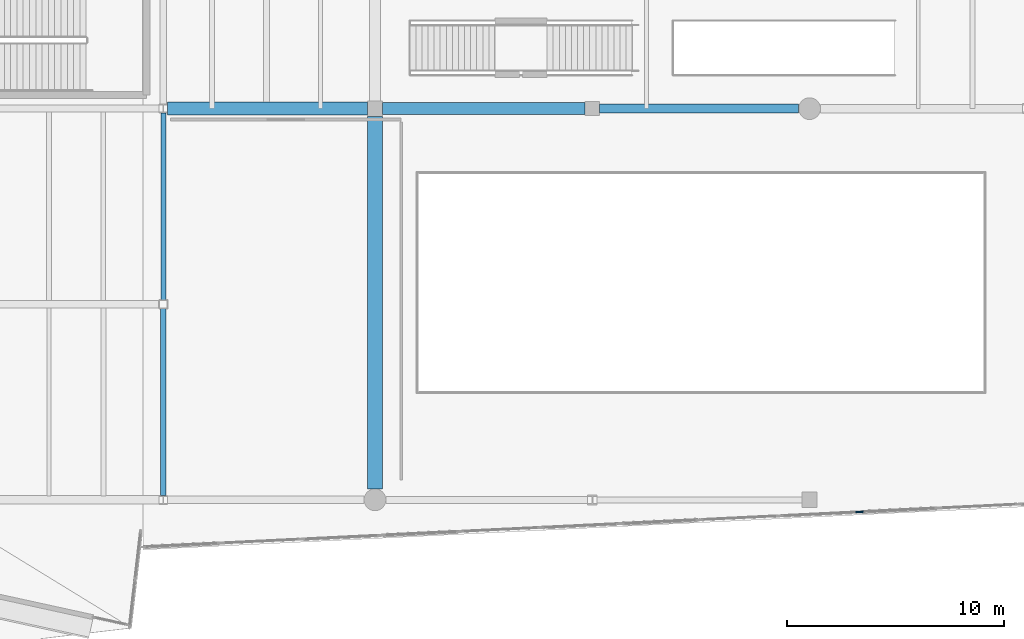
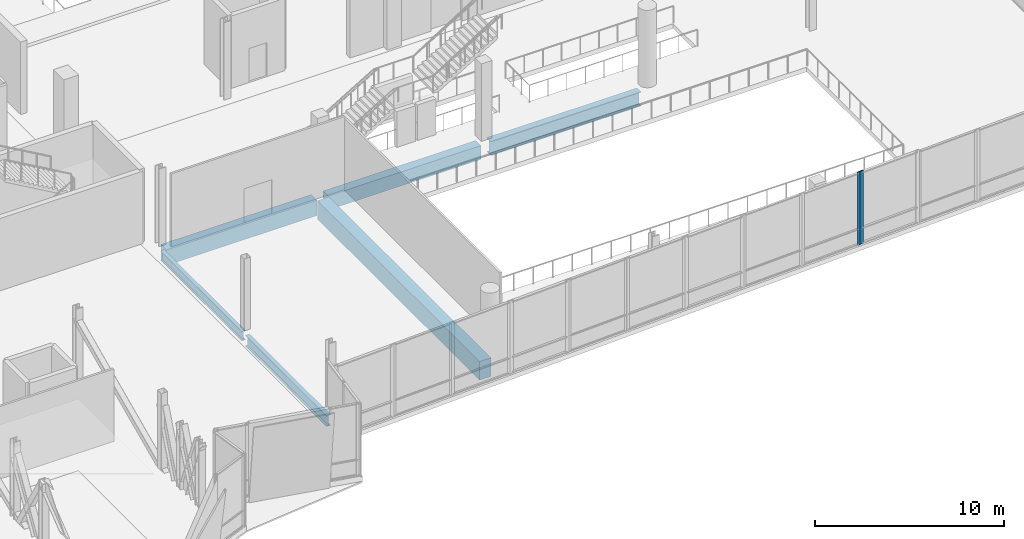
# One storey, part 23 of 73: 6 beams, 2 members, 2 elements without a shape of their own.
"""IFC4 building model written with IfcOpenShell, lengths in metres."""

from ifc_helpers import new_model, si_unit, direction, frame, origin, origin_2d, place, context, subcontext, project, spatial, rectangle, i_section, extrude, material, material_profile, profile_set, type_object, element, aggregate, save


model = new_model("IFC4")

# Units and contexts
model_context = context("Model", 3, precision=1e-05, world=origin(), true_north=direction((0.0, 1.0)))
body_context = subcontext(model_context, "Body", "Model", "MODEL_VIEW")
ifc_project = project(units=[si_unit("LENGTHUNIT", "METRE"), si_unit("AREAUNIT", "SQUARE_METRE"), si_unit("VOLUMEUNIT", "CUBIC_METRE"), si_unit("PLANEANGLEUNIT", "RADIAN"), si_unit("MASSUNIT", "GRAM", prefix="KILO")], contexts=[model_context])

# Site, building, storey
site_placement = place(None, origin())
site = spatial("IfcSite", under=ifc_project, at=site_placement, CompositionType="ELEMENT")
building_placement = place(site_placement, origin())
building = spatial("IfcBuilding", under=site, at=building_placement, Name="Trimount Lyric Opera House", CompositionType="ELEMENT")
storey_placement = place(building_placement, frame((0.0, 0.0, 10.0)))
storey = spatial("IfcBuildingStorey", under=building, at=storey_placement, Name="L02", CompositionType="ELEMENT", Elevation=10.0)

# Beams
ifc_material_1 = material(Name="Steel ASTM A992 Grade 50", Category="steel")
ifc_material_profile_1 = material_profile(ifc_material_1, i_section(OverallWidth=0.4189453125, OverallDepth=0.927001953125, WebThickness=0.019287109375, FlangeThickness=0.031982421875, FilletRadius=0.02392578125, at=origin_2d()), Name="W36X231")
ifc_profile_set_1 = profile_set([ifc_material_profile_1], Name="Steel ASTM A992 Grade 50")
beam_type_1 = type_object("IfcBeamType", Name="B-02", PredefinedType="BEAM", material=ifc_profile_set_1)
beam_1_placement = place(storey_placement, frame((84.324951171875, 44.0, -0.763427734375), z_axis=(1.0, 0.0, 0.0), x_axis=(0.0, 1.0, 0.0)))
element("IfcBeam", 1, at=beam_1_placement, inside=storey, type_object=beam_type_1, Name="L02 girder X-0726", PredefinedType="BEAM", context=body_context, shape_type="SweptSolid", body=[
    extrude(i_section(OverallWidth=0.4189453125, OverallDepth=0.927001953125, WebThickness=0.019287109375, FlangeThickness=0.031982421875, FilletRadius=0.02392578125, at=origin_2d()), origin(), (0.0, 0.0, 1.0), 9.175048828125),
])
ifc_material_2 = material(Name="Steel ASTM A992 Grade 50", Category="steel")
ifc_material_profile_2 = material_profile(ifc_material_2, i_section(OverallWidth=0.25390625, OverallDepth=0.68798828125, WebThickness=0.01318359375, FlangeThickness=0.02099609375, FilletRadius=0.01611328125, at=origin_2d()), Name="W27X102")
ifc_profile_set_2 = profile_set([ifc_material_profile_2], Name="Steel ASTM A992 Grade 50")
beam_type_2 = type_object("IfcBeamType", Name="B-09", PredefinedType="BEAM", material=ifc_profile_set_2)
beam_2_placement = place(storey_placement, frame((64.260009765625, 26.20849609375, -0.64404296875), z_axis=(0.0, 1.0, 0.0), x_axis=(-1.0, 0.0, 0.0)))
element("IfcBeam", 2, at=beam_2_placement, inside=storey, type_object=beam_type_2, Name="L02 girder Y-0873", PredefinedType="BEAM", context=body_context, shape_type="SweptSolid", body=[
    extrude(i_section(OverallWidth=0.25390625, OverallDepth=0.68798828125, WebThickness=0.01318359375, FlangeThickness=0.02099609375, FilletRadius=0.01611328125, at=origin_2d()), origin(), (0.0, 0.0, 1.0), 8.58837890625),
])
ifc_material_3 = material(Name="Steel ASTM A992 Grade 50", Category="steel")
ifc_material_profile_3 = material_profile(ifc_material_3, i_section(OverallWidth=0.22998046875, OverallDepth=0.616943359375, WebThickness=0.01318359375, FlangeThickness=0.022216796875, FilletRadius=0.013916015625, at=origin_2d()), Name="W24X94")
ifc_profile_set_3 = profile_set([ifc_material_profile_3], Name="Steel ASTM A992 Grade 50")
beam_type_3 = type_object("IfcBeamType", Name="B-11", PredefinedType="BEAM", material=ifc_profile_set_3)
beam_3_placement = place(storey_placement, frame((64.260009765625, 35.203125, -0.6083984375), z_axis=(0.0, 1.0, 0.0), x_axis=(-1.0, 0.0, 0.0)))
element("IfcBeam", 3, at=beam_3_placement, inside=storey, type_object=beam_type_3, Name="L02 girder Y-0874", PredefinedType="BEAM", context=body_context, shape_type="SweptSolid", body=[
    extrude(i_section(OverallWidth=0.22998046875, OverallDepth=0.616943359375, WebThickness=0.01318359375, FlangeThickness=0.022216796875, FilletRadius=0.013916015625, at=origin_2d()), origin(), (0.0, 0.0, 1.0), 8.58837890625),
])
ifc_material_4 = material(Name="Concrete C40/50", Category="concrete")
ifc_material_profile_4 = material_profile(ifc_material_4, rectangle(XDim=0.60009765625, YDim=1.0, at=origin_2d()), Name="RC600X1000")
ifc_profile_set_4 = profile_set([ifc_material_profile_4], Name="Concrete C40/50")
beam_type_4 = type_object("IfcBeamType", Name="B-13", PredefinedType="BEAM", material=ifc_profile_set_4)
beam_4_placement = place(storey_placement, frame((64.462890625, 44.0, -0.800048828125), z_axis=(1.0, 0.0, 0.0), x_axis=(0.0, 1.0, 0.0)))
element("IfcBeam", 4, at=beam_4_placement, inside=storey, type_object=beam_type_4, Name="L02 girder X-0724", PredefinedType="BEAM", context=body_context, shape_type="SweptSolid", body=[
    extrude(rectangle(XDim=0.60009765625, YDim=1.0, at=origin_2d()), origin(), (0.0, 0.0, 1.0), 9.18701171875),
])
ifc_material_5 = material(Name="Concrete C40/50", Category="concrete")
ifc_material_profile_5 = material_profile(ifc_material_5, rectangle(XDim=0.550048828125, YDim=0.89990234375, at=origin_2d()), Name="RC550X900")
ifc_profile_set_5 = profile_set([ifc_material_profile_5], Name="Concrete C40/50")
beam_type_5 = type_object("IfcBeamType", Name="B-14", PredefinedType="BEAM", material=ifc_profile_set_5)
beam_5_placement = place(storey_placement, frame((74.35009765625, 44.0, -0.75), z_axis=(1.0, 0.0, 0.0), x_axis=(0.0, 1.0, 0.0)))
element("IfcBeam", 5, at=beam_5_placement, inside=storey, type_object=beam_type_5, Name="L02 girder X-0725", PredefinedType="BEAM", context=body_context, shape_type="SweptSolid", body=[
    extrude(rectangle(XDim=0.550048828125, YDim=0.89990234375, at=origin_2d()), origin(), (0.0, 0.0, 1.0), 9.324951171875),
])

# Curtain wall, member
ifc_material_6 = material(Name="Thermally Broken Aluminium and Low-E Glass", Category="aluminium")
curtain_wall_type = type_object("IfcCurtainWallType", Name="CW-01", PredefinedType="NOTDEFINED", material=ifc_material_6)
curtain_wall_1_placement = place(storey_placement, origin())
curtain_wall_1 = element("IfcCurtainWall", 6, at=curtain_wall_1_placement, inside=storey, type_object=curtain_wall_type, Name="L02 curtain wall 177", PredefinedType="NOTDEFINED")
ifc_material_7 = material(Name="Anodised Aluminium 6063-T6", Category="aluminium")
ifc_material_profile_6 = material_profile(ifc_material_7, rectangle(XDim=0.070068359375, YDim=0.219970703125, at=origin_2d()), Name="ALU-MULL-70X220")
ifc_profile_set_6 = profile_set([ifc_material_profile_6], Name="Anodised Aluminium 6063-T6")
member_type_1 = type_object("IfcMemberType", Name="ML-01", PredefinedType="MULLION", material=ifc_profile_set_6)
member_1_placement = place(storey_placement, frame((96.364990234375, 25.44677734375, 0.0), z_axis=(0.0, 0.0, 1.0), x_axis=(0.04855957812, -0.998820287826, 0.0)))
member_1 = element("IfcMember", 7, at=member_1_placement, type_object=member_type_1, Name="CW-01 mullion 2", PredefinedType="MULLION", context=body_context, shape_type="SweptSolid", body=[
    extrude(rectangle(XDim=0.070068359375, YDim=0.219970703125, at=origin_2d()), origin(), (0.0, 0.0, 1.0), 4.719970703125),
])
aggregate(curtain_wall_1, [member_1])

curtain_wall_2_placement = place(storey_placement, origin())
curtain_wall_2 = element("IfcCurtainWall", 8, at=curtain_wall_2_placement, inside=storey, type_object=curtain_wall_type, Name="L02 curtain wall 178", PredefinedType="NOTDEFINED")
ifc_material_8 = material(Name="Anodised Aluminium 6063-T6", Category="aluminium")
ifc_material_profile_7 = material_profile(ifc_material_8, rectangle(XDim=0.06494140625, YDim=0.179931640625, at=origin_2d()), Name="ALU-MULL-65X180")
ifc_profile_set_7 = profile_set([ifc_material_profile_7], Name="Anodised Aluminium 6063-T6")
member_type_2 = type_object("IfcMemberType", Name="ML-02", PredefinedType="MULLION", material=ifc_profile_set_7)
member_2_placement = place(storey_placement, frame((96.20751953125, 25.4384765625, 0.0), z_axis=(0.0, 0.0, 1.0), x_axis=(0.048573117817, -0.998819629475, 0.0)))
member_2 = element("IfcMember", 9, at=member_2_placement, type_object=member_type_2, Name="CW-01 mullion 1", PredefinedType="MULLION", context=body_context, shape_type="SweptSolid", body=[
    extrude(rectangle(XDim=0.06494140625, YDim=0.179931640625, at=origin_2d()), origin(), (0.0, 0.0, 1.0), 4.719970703125),
])
aggregate(curtain_wall_2, [member_2])

# Beam
ifc_material_9 = material(Name="Concrete C40/50", Category="concrete")
ifc_material_profile_8 = material_profile(ifc_material_9, rectangle(XDim=0.699951171875, YDim=1.199951171875, at=origin_2d()), Name="RC700X1200")
ifc_profile_set_8 = profile_set([ifc_material_profile_8], Name="Concrete C40/50")
beam_type_6 = type_object("IfcBeamType", Name="TG-05", PredefinedType="USERDEFINED", material=ifc_profile_set_8)
beam_6_placement = place(storey_placement, frame((74.0, 26.5, -0.89990234375), z_axis=(0.0, 1.0, 0.0), x_axis=(-1.0, 0.0, 0.0)))
element("IfcBeam", 10, at=beam_6_placement, inside=storey, type_object=beam_type_6, Name="L02 girder Y-0882", ObjectType="TRANSFER_GIRDER", PredefinedType="USERDEFINED", context=body_context, shape_type="SweptSolid", body=[
    extrude(rectangle(XDim=0.699951171875, YDim=1.199951171875, at=origin_2d()), origin(), (0.0, 0.0, 1.0), 17.14990234375),
])

save(model, "model.ifc")
